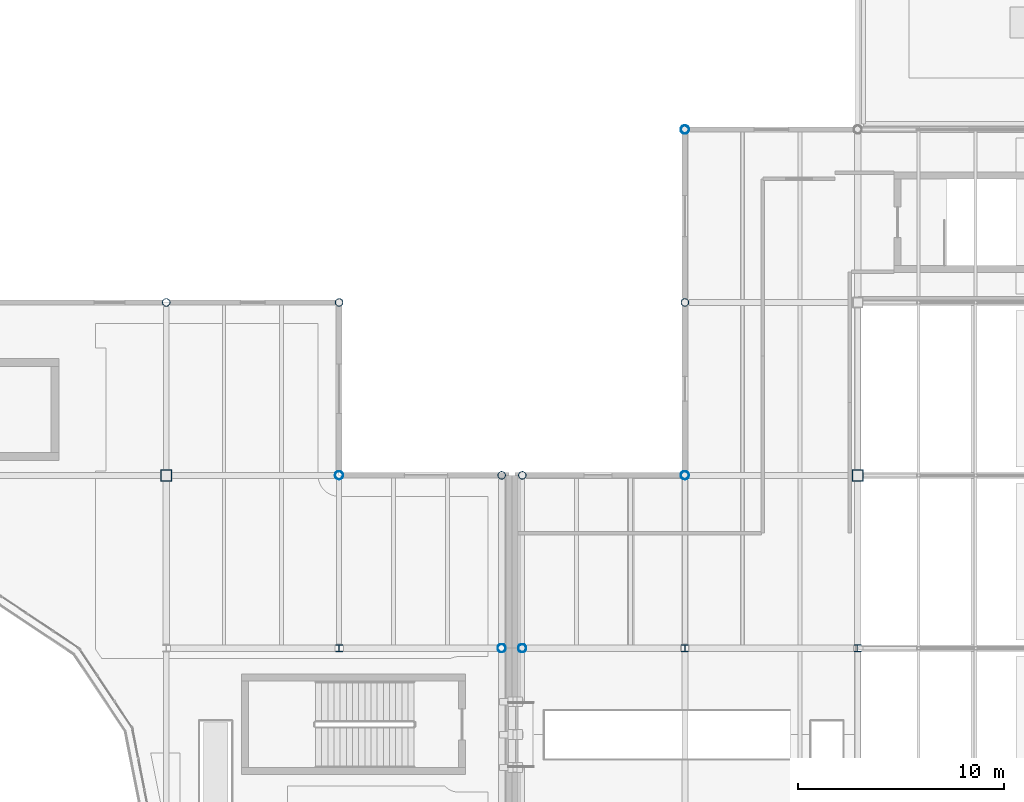
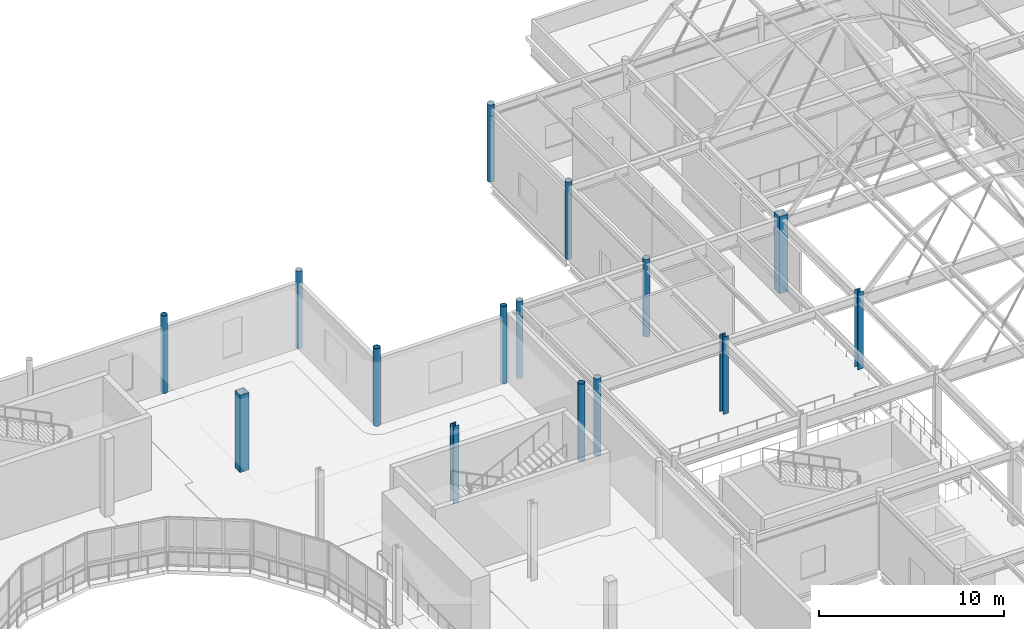
# One storey, part 7 of 103: 15 columns.
"""IFC4 building model written with IfcOpenShell, lengths in metres."""

from ifc_helpers import new_model, si_unit, direction, frame, origin, origin_2d, place, context, subcontext, project, spatial, hollow_rectangle, hollow_circle, i_section, extrude, material, material_profile, profile_set, type_object, element, save


model = new_model("IFC4")

# Units and contexts
model_context = context("Model", 3, precision=1e-05, world=origin(), true_north=direction((0.0, 1.0)))
body_context = subcontext(model_context, "Body", "Model", "MODEL_VIEW")
ifc_project = project(units=[si_unit("LENGTHUNIT", "METRE"), si_unit("AREAUNIT", "SQUARE_METRE"), si_unit("VOLUMEUNIT", "CUBIC_METRE"), si_unit("PLANEANGLEUNIT", "RADIAN"), si_unit("MASSUNIT", "GRAM", prefix="KILO"), si_unit("THERMODYNAMICTEMPERATUREUNIT", "KELVIN")], contexts=[model_context])

# Site, building, storey
site_placement = place(None, origin())
site = spatial("IfcSite", under=ifc_project, at=site_placement, CompositionType="ELEMENT")
building_placement = place(site_placement, origin())
building = spatial("IfcBuilding", under=site, at=building_placement, Name="Lustrewick Department Store", CompositionType="ELEMENT")
storey_placement = place(building_placement, frame((0.0, 0.0, 16.5)))
storey = spatial("IfcBuildingStorey", under=building, at=storey_placement, Name="L04", CompositionType="ELEMENT", Elevation=16.5)

# Columns
ifc_material_1 = material(Name="Structural steel Q355C", Category="steel")
ifc_material_profile_1 = material_profile(ifc_material_1, hollow_rectangle(XDim=0.550048828125, YDim=0.550048828125, WallThickness=0.02197265625, at=origin_2d()), Name="BOX 550x550x22")
ifc_profile_set_1 = profile_set([ifc_material_profile_1], Name="Structural steel Q355C")
column_type_1 = type_object("IfcColumnType", Name="C05", PredefinedType="COLUMN", material=ifc_profile_set_1)
for number, where, z_axis, x_axis, name in (
    (1, (42.0, 84.0, 0.0), (0.0, 0.0, 1.0), (1.0, 0.0, 0.0), "L04 V1 Column C05"),
    (2, (75.60009765625, 84.0, 0.0), (0.0, 0.0, 1.0), (1.0, 0.0, 0.0), "L04 V2 Column C05"),
):
    element("IfcColumn", number, at=place(storey_placement, frame(where, z_axis=z_axis, x_axis=x_axis)), inside=storey, type_object=column_type_1, Name=name, PredefinedType="COLUMN", context=body_context, shape_type="SweptSolid", body=[
        extrude(hollow_rectangle(XDim=0.550048828125, YDim=0.550048828125, WallThickness=0.02197265625, at=origin_2d()), origin(), (0.0, 0.0, 1.0), 5.10009765625),
    ])
ifc_material_2 = material(Name="Structural steel Q355B", Category="steel")
ifc_material_profile_2 = material_profile(ifc_material_2, i_section(OverallWidth=0.35009765625, OverallDepth=0.35009765625, WebThickness=0.011962890625, FlangeThickness=0.01904296875, FilletRadius=0.02001953125, at=origin_2d()), Name="HW 350x350x12x19")
ifc_profile_set_2 = profile_set([ifc_material_profile_2], Name="Structural steel Q355B")
column_type_2 = type_object("IfcColumnType", Name="C13", PredefinedType="COLUMN", material=ifc_profile_set_2)
for number, where, z_axis, x_axis, name in (
    (3, (50.39990234375, 75.60009765625, 0.0), (0.0, 0.0, 1.0), (1.0, 0.0, 0.0), "L04 V1 Column C13"),
    (4, (67.199951171875, 75.60009765625, 0.0), (0.0, 0.0, 1.0), (1.0, 0.0, 0.0), "L04 V2 Column C13"),
    (5, (75.60009765625, 75.60009765625, 0.0), (0.0, 0.0, 1.0), (1.0, 0.0, 0.0), "L04 V2 Column C13"),
):
    element("IfcColumn", number, at=place(storey_placement, frame(where, z_axis=z_axis, x_axis=x_axis)), inside=storey, type_object=column_type_2, Name=name, PredefinedType="COLUMN", context=body_context, shape_type="SweptSolid", body=[
        extrude(i_section(OverallWidth=0.35009765625, OverallDepth=0.35009765625, WebThickness=0.011962890625, FlangeThickness=0.01904296875, FilletRadius=0.02001953125, at=origin_2d()), origin(), (0.0, 0.0, 1.0), 5.10009765625),
    ])
ifc_material_profile_3 = material_profile(ifc_material_1, hollow_circle(Radius=0.202880859375, WallThickness=0.01611328125, at=origin_2d()), Name="CHS 406x16")
ifc_profile_set_3 = profile_set([ifc_material_profile_3], Name="Structural steel Q355C")
column_type_3 = type_object("IfcColumnType", Name="CE03", PredefinedType="COLUMN", material=ifc_profile_set_3)
for number, where, z_axis, x_axis, name in (
    (6, (50.39990234375, 84.0, 0.0), (0.0, 0.0, 1.0), (1.0, 0.0, 0.0), "L04 V1 Column CE03"),
    (7, (58.300048828125, 75.60009765625, 0.0), (0.0, 0.0, 1.0), (1.0, 0.0, 0.0), "L04 V1 Column CE03"),
    (8, (59.300048828125, 75.60009765625, 0.0), (0.0, 0.0, 1.0), (1.0, 0.0, 0.0), "L04 V2 Column CE03"),
    (9, (67.199951171875, 84.0, 0.0), (0.0, 0.0, 1.0), (1.0, 0.0, 0.0), "L04 V2 Column CE03"),
    (10, (67.199951171875, 100.800048828125, 0.0), (0.0, 0.0, 1.0), (1.0, 0.0, 0.0), "L04 V2 Column CE03"),
):
    element("IfcColumn", number, at=place(storey_placement, frame(where, z_axis=z_axis, x_axis=x_axis)), inside=storey, type_object=column_type_3, Name=name, PredefinedType="COLUMN", context=body_context, shape_type="SweptSolid", body=[
        extrude(hollow_circle(Radius=0.202880859375, WallThickness=0.01611328125, at=origin_2d()), origin(), (0.0, 0.0, 1.0), 5.10009765625),
    ])
ifc_material_profile_4 = material_profile(ifc_material_2, hollow_circle(Radius=0.1884765625, WallThickness=0.013916015625, at=origin_2d()), Name="CHS 377x14")
ifc_profile_set_4 = profile_set([ifc_material_profile_4], Name="Structural steel Q355B")
column_type_4 = type_object("IfcColumnType", Name="CE04", PredefinedType="COLUMN", material=ifc_profile_set_4)
for number, where, z_axis, x_axis, name in (
    (11, (42.0, 92.39990234375, 0.0), (0.0, 0.0, 1.0), (1.0, 0.0, 0.0), "L04 V1 Column CE04"),
    (12, (50.39990234375, 92.39990234375, 0.0), (0.0, 0.0, 1.0), (1.0, 0.0, 0.0), "L04 V1 Column CE04"),
    (13, (58.300048828125, 84.0, 0.0), (0.0, 0.0, 1.0), (1.0, 0.0, 0.0), "L04 V1 Column CE04"),
    (14, (59.300048828125, 84.0, 0.0), (0.0, 0.0, 1.0), (1.0, 0.0, 0.0), "L04 V2 Column CE04"),
    (15, (67.199951171875, 92.39990234375, 0.0), (0.0, 0.0, 1.0), (1.0, 0.0, 0.0), "L04 V2 Column CE04"),
):
    element("IfcColumn", number, at=place(storey_placement, frame(where, z_axis=z_axis, x_axis=x_axis)), inside=storey, type_object=column_type_4, Name=name, PredefinedType="COLUMN", context=body_context, shape_type="SweptSolid", body=[
        extrude(hollow_circle(Radius=0.1884765625, WallThickness=0.013916015625, at=origin_2d()), origin(), (0.0, 0.0, 1.0), 5.10009765625),
    ])

save(model, "model.ifc")
